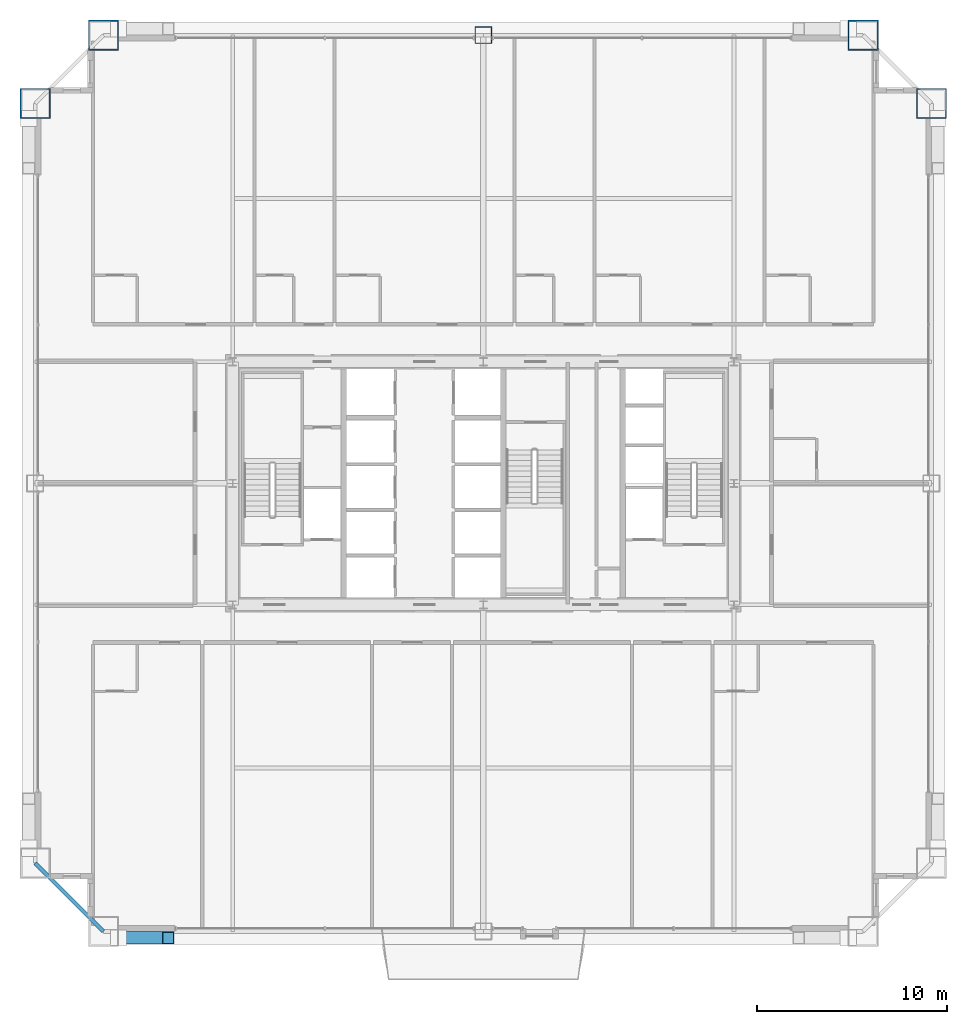
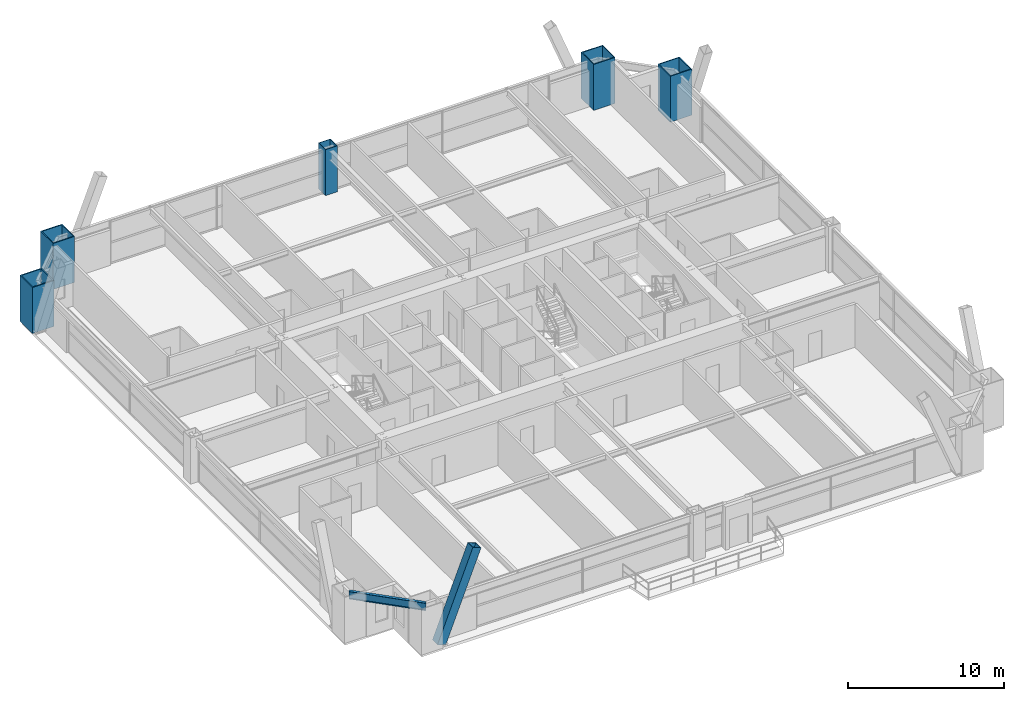
# One storey, part 3 of 41: 5 columns, 1 beam, 1 member.
"""IFC4 building model written with IfcOpenShell, lengths in metres."""

from ifc_helpers import new_model, si_unit, direction, frame, origin, origin_2d, place, context, subcontext, project, spatial, hollow_rectangle, i_section, extrude, source, transform, mapped, material, material_profile, profile_set, type_object, element, save


model = new_model("IFC4")

# Units and contexts
model_context = context("Model", 3, precision=1e-05, world=origin(), true_north=direction((0.0, 1.0)))
body_context = subcontext(model_context, "Body", "Model", "MODEL_VIEW")
ifc_project = project(units=[si_unit("LENGTHUNIT", "METRE"), si_unit("AREAUNIT", "SQUARE_METRE"), si_unit("VOLUMEUNIT", "CUBIC_METRE"), si_unit("PLANEANGLEUNIT", "RADIAN"), si_unit("MASSUNIT", "GRAM", prefix="KILO"), si_unit("THERMODYNAMICTEMPERATUREUNIT", "KELVIN"), si_unit("POWERUNIT", "WATT")], contexts=[model_context])

# Site, building, storey
site_placement = place(None, origin())
site = spatial("IfcSite", under=ifc_project, at=site_placement, CompositionType="ELEMENT")
building_placement = place(site_placement, origin())
building = spatial("IfcBuilding", under=site, at=building_placement, Name="Yuzanri Waterfront Tower", CompositionType="ELEMENT")
storey_placement = place(building_placement, frame((0.0, 0.0, 152.39990234375)))
storey = spatial("IfcBuildingStorey", under=building, at=storey_placement, Name="L40", CompositionType="ELEMENT", Elevation=152.39990234375)

# Columns
ifc_material_1 = material(Name="Steel Q390GJC", Category="steel")
ifc_material_profile_1 = material_profile(ifc_material_1, hollow_rectangle(XDim=0.89990234375, YDim=0.89990234375, WallThickness=0.0419921875, at=origin_2d()), Name="RHS 900x900x42")
ifc_profile_set_1 = profile_set([ifc_material_profile_1], Name="Steel Q390GJC")
column_type_1 = type_object("IfcColumnType", Name="Frame Column Q390GJC RHS 900x900x42", PredefinedType="COLUMN", material=ifc_profile_set_1)
shared_shape_1 = source(origin(), body_context, "Body", "SweptSolid", [
    extrude(hollow_rectangle(XDim=0.89990234375, YDim=0.89990234375, WallThickness=0.0419921875, at=origin_2d()), origin(), (0.0, 0.0, 1.0), 3.60009765625),
])
column_placement = place(storey_placement, frame((37.0, 49.39990234375, 0.0), z_axis=(0.0, 0.0, 1.0), x_axis=(1.0, 0.0, 0.0)))
element("IfcColumn", 1, at=column_placement, inside=storey, type_object=column_type_1, Name="L40 Perimeter Frame Column N2", PredefinedType="COLUMN", context=body_context, shape_type="MappedRepresentation", body=[
    mapped(shared_shape_1, transform((0.0, 0.0, 0.0), scale=1.0)),
])
ifc_material_2 = material(Name="Steel Q420GJC", Category="steel")
ifc_material_profile_2 = material_profile(ifc_material_2, hollow_rectangle(XDim=1.60009765625, YDim=1.60009765625, WallThickness=0.070068359375, at=origin_2d()), Name="RHS 1600x1600x70")
ifc_profile_set_2 = profile_set([ifc_material_profile_2], Name="Steel Q420GJC")
column_type_2 = type_object("IfcColumnType", Name="Mega Column Q420GJC RHS 1600x1600x70", PredefinedType="COLUMN", material=ifc_profile_set_2)
shared_shape_2 = source(origin(), body_context, "Body", "SweptSolid", [
    extrude(hollow_rectangle(XDim=1.60009765625, YDim=1.60009765625, WallThickness=0.070068359375, at=origin_2d()), origin(), (0.0, 0.0, 1.0), 3.60009765625),
])
for number, where, z_axis, x_axis, name in (
    (2, (17.0, 49.39990234375, 0.0), (0.0, 0.0, 1.0), (1.0, 0.0, 0.0), "L40 Perimeter Mega Column N1"),
    (3, (57.0, 49.39990234375, 0.0), (0.0, 0.0, 1.0), (1.0, 0.0, 0.0), "L40 Perimeter Mega Column N3"),
    (4, (13.39990234375, 45.800048828125, 0.0), (0.0, 0.0, 1.0), (1.0, 0.0, 0.0), "L40 Perimeter Mega Column W3"),
    (5, (60.60009765625, 45.800048828125, 0.0), (0.0, 0.0, 1.0), (1.0, 0.0, 0.0), "L40 Perimeter Mega Column E3"),
):
    element("IfcColumn", number, at=place(storey_placement, frame(where, z_axis=z_axis, x_axis=x_axis)), inside=storey, type_object=column_type_2, Name=name, PredefinedType="COLUMN", context=body_context, shape_type="MappedRepresentation", body=[
        mapped(shared_shape_2, transform((0.0, 0.0, 0.0), scale=1.0)),
    ])

# Beam
ifc_material_3 = material(Name="Steel Q355B", Category="steel")
ifc_material_profile_3 = material_profile(ifc_material_3, i_section(OverallWidth=0.199951171875, OverallDepth=0.60009765625, WebThickness=0.010986328125, FlangeThickness=0.01708984375, at=origin_2d()), Name="HN 600x200x11x17")
ifc_profile_set_3 = profile_set([ifc_material_profile_3], Name="Steel Q355B")
beam_type = type_object("IfcBeamType", Name="Perimeter Spandrel Q355B HN 600x200", PredefinedType="SPANDREL", material=ifc_profile_set_3)
shared_shape_3 = source(origin(), body_context, "Body", "SweptSolid", [
    extrude(i_section(OverallWidth=0.199951171875, OverallDepth=0.60009765625, WebThickness=0.010986328125, FlangeThickness=0.01708984375, at=origin_2d()), origin(), (0.0, 0.0, 1.0), 5.09130859375),
])
beam_placement = place(storey_placement, frame((13.39990234375, 5.800048828125, 3.080078125), z_axis=(0.707106781187, -0.707106781187, 0.0), x_axis=(0.707106781187, 0.707106781187, 0.0)))
element("IfcBeam", 6, at=beam_placement, inside=storey, type_object=beam_type, Name="L40 Perimeter Spandrel W1-S1", PredefinedType="SPANDREL", context=body_context, shape_type="MappedRepresentation", body=[
    mapped(shared_shape_3, transform((0.0, 0.0, 0.0), scale=1.0)),
])

# Member
ifc_material_4 = material(Name="Steel Q420GJC", Category="steel")
ifc_material_profile_4 = material_profile(ifc_material_4, hollow_rectangle(XDim=0.64990234375, YDim=0.64990234375, WallThickness=0.028076171875, at=origin_2d()), Name="RHS 650x650x28")
ifc_profile_set_4 = profile_set([ifc_material_profile_4], Name="Steel Q420GJC")
member_type = type_object("IfcMemberType", Name="Mega Brace Lower Q420GJC RHS 650x650x28", PredefinedType="BRACE", material=ifc_profile_set_4)
shared_shape_4 = source(origin(), body_context, "Body", "SweptSolid", [
    extrude(hollow_rectangle(XDim=0.64990234375, YDim=0.64990234375, WallThickness=0.028076171875, at=origin_2d()), origin(), (0.0, 0.0, 1.0), 7.19384765625),
])
member_placement = place(storey_placement, frame((17.780029296875, 1.860107421875, 0.18017578125), z_axis=(0.36417668996, 0.0, 0.9313298763), x_axis=(0.0, 1.0, 0.0)))
element("IfcMember", 7, at=member_placement, inside=storey, type_object=member_type, Name="L40-L41 Perimeter Mega-Brace S-L", PredefinedType="BRACE", context=body_context, shape_type="MappedRepresentation", body=[
    mapped(shared_shape_4, transform((0.0, 0.0, 0.0), scale=1.0)),
])

save(model, "model.ifc")
